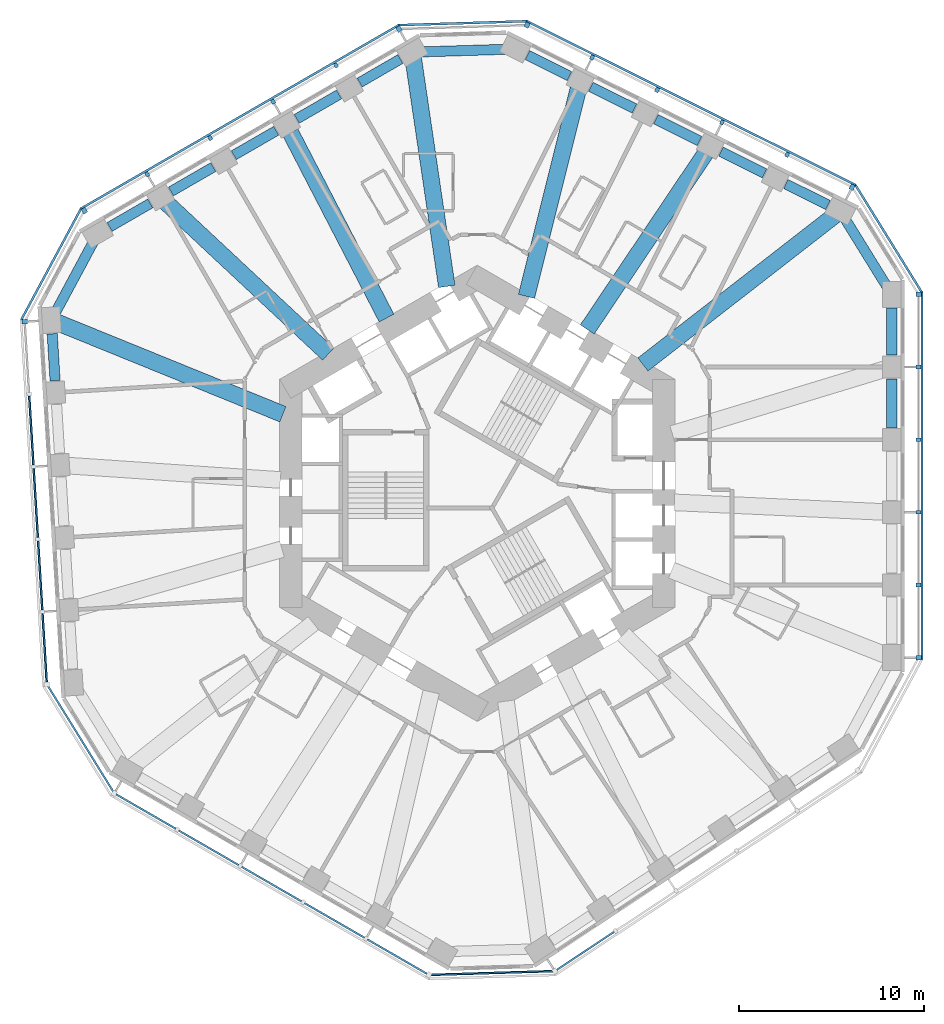
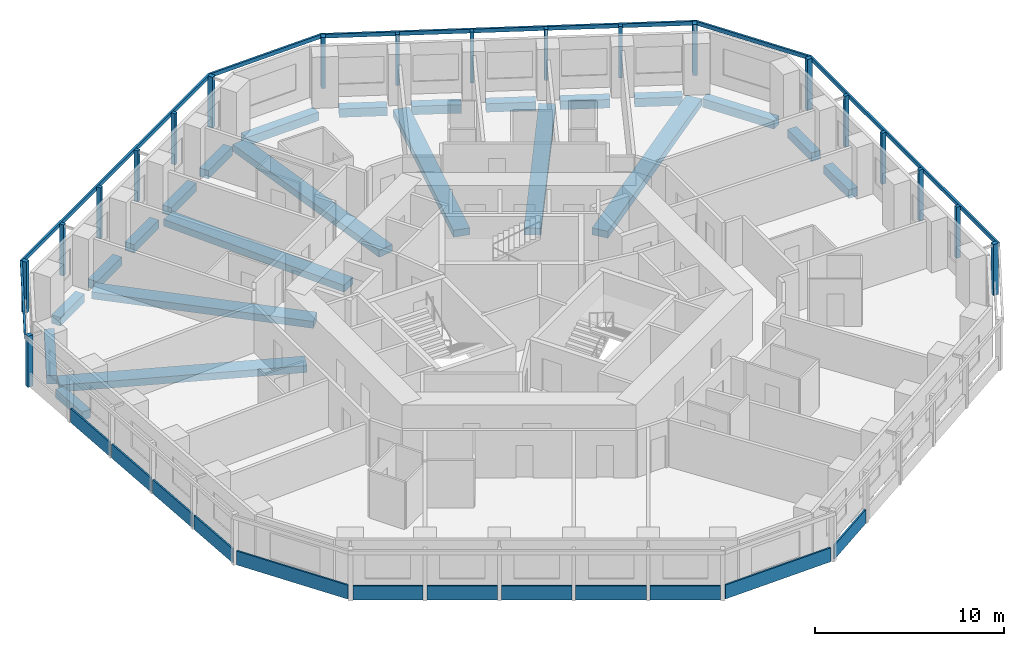
# One storey, part 2 of 12: 25 members, 23 beams, 12 plates, 11 elements without a shape of their own.
"""IFC4 building model written with IfcOpenShell, lengths in metres."""

from ifc_helpers import new_model, si_unit, direction, frame, origin, origin_2d, place, context, subcontext, project, spatial, rectangle, extrude, material, layer, layer_set, material_profile, profile_set, type_object, element, aggregate, save


model = new_model("IFC4")

# Units and contexts
model_context = context("Model", 3, precision=1e-05, world=origin(), true_north=direction((0.0, 1.0)))
body_context = subcontext(model_context, "Body", "Model", "MODEL_VIEW")
ifc_project = project(units=[si_unit("LENGTHUNIT", "METRE"), si_unit("AREAUNIT", "SQUARE_METRE"), si_unit("VOLUMEUNIT", "CUBIC_METRE"), si_unit("PLANEANGLEUNIT", "RADIAN"), si_unit("MASSUNIT", "GRAM", prefix="KILO")], contexts=[model_context])

# Site, building, storey
site_placement = place(None, origin())
site = spatial("IfcSite", under=ifc_project, at=site_placement, CompositionType="ELEMENT")
building_placement = place(site_placement, origin())
building = spatial("IfcBuilding", under=site, at=building_placement, Name="Vanh Sen Convention Tower", CompositionType="ELEMENT")
storey_placement = place(building_placement, frame((0.0, 0.0, 63.800048828125)))
storey = spatial("IfcBuildingStorey", under=building, at=storey_placement, Name="L13", CompositionType="ELEMENT", Elevation=63.800048828125)

# Curtain wall, members
ifc_material_1 = material(Name="Concrete C50/60", Category="concrete")
curtain_wall_type = type_object("IfcCurtainWallType", Name="Outer skin hotel zone", PredefinedType="NOTDEFINED", material=ifc_material_1)
curtain_wall_1_placement = place(storey_placement, origin())
curtain_wall_1 = element("IfcCurtainWall", 1, at=curtain_wall_1_placement, inside=storey, type_object=curtain_wall_type, Name="OUTER SKIN E L13", PredefinedType="NOTDEFINED")
ifc_material_profile_1 = material_profile(ifc_material_1, rectangle(XDim=0.25, YDim=0.300048828125, at=origin_2d()), Name="Outer skin precast corner fin 250 x 300")
ifc_profile_set_1 = profile_set([ifc_material_profile_1], Name="Concrete C50/60")
member_type_1 = type_object("IfcMemberType", Name="Outer skin precast corner fin 250 x 300", PredefinedType="MULLION", material=ifc_profile_set_1)
member_1_placement = place(storey_placement, frame((23.89990234375, -8.899169921875, 0.0), z_axis=(0.0, 0.0, 1.0), x_axis=(0.0, 1.0, 0.0)))
member_1 = element("IfcMember", 2, at=member_1_placement, type_object=member_type_1, Name="OUTER SKIN CORNER FIN 1 E L13", PredefinedType="MULLION", context=body_context, shape_type="SweptSolid", body=[
    extrude(rectangle(XDim=0.25, YDim=0.300048828125, at=origin_2d()), origin(), (0.0, 0.0, 1.0), 3.300048828125),
])
member_2_placement = place(storey_placement, frame((23.89990234375, 10.773681640625, 0.0), z_axis=(0.0, 0.0, 1.0), x_axis=(0.0, 1.0, 0.0)))
member_2 = element("IfcMember", 3, at=member_2_placement, type_object=member_type_1, Name="OUTER SKIN CORNER FIN 6 E L13", PredefinedType="MULLION", context=body_context, shape_type="SweptSolid", body=[
    extrude(rectangle(XDim=0.25, YDim=0.300048828125, at=origin_2d()), origin(), (0.0, 0.0, 1.0), 3.300048828125),
])

curtain_wall_2_placement = place(storey_placement, origin())
curtain_wall_2 = element("IfcCurtainWall", 4, at=curtain_wall_2_placement, inside=storey, type_object=curtain_wall_type, Name="OUTER SKIN NE L13", PredefinedType="NOTDEFINED")
member_3_placement = place(storey_placement, frame((20.305908203125, 16.581787109375, 0.0), z_axis=(0.0, 0.0, 1.0), x_axis=(-0.894934361602, 0.44619781311, 0.0)))
member_3 = element("IfcMember", 5, at=member_3_placement, type_object=member_type_1, Name="OUTER SKIN CORNER FIN 1 NE L13", PredefinedType="MULLION", context=body_context, shape_type="SweptSolid", body=[
    extrude(rectangle(XDim=0.25, YDim=0.300048828125, at=origin_2d()), origin(), (0.0, 0.0, 1.0), 3.300048828125),
])
member_4_placement = place(storey_placement, frame((2.699951171875, 25.35986328125, 0.0), z_axis=(0.0, 0.0, 1.0), x_axis=(-0.894934361602, 0.44619781311, 0.0)))
member_4 = element("IfcMember", 6, at=member_4_placement, type_object=member_type_1, Name="OUTER SKIN CORNER FIN 6 NE L13", PredefinedType="MULLION", context=body_context, shape_type="SweptSolid", body=[
    extrude(rectangle(XDim=0.25, YDim=0.300048828125, at=origin_2d()), origin(), (0.0, 0.0, 1.0), 3.300048828125),
])

curtain_wall_3_placement = place(storey_placement, origin())
curtain_wall_3 = element("IfcCurtainWall", 7, at=curtain_wall_3_placement, inside=storey, type_object=curtain_wall_type, Name="OUTER SKIN NW L13", PredefinedType="NOTDEFINED")
member_5_placement = place(storey_placement, frame((-4.242919921875, 25.147705078125, 0.0), z_axis=(0.0, 0.0, 1.0), x_axis=(-0.866025403784, -0.5, 0.0)))
member_5 = element("IfcMember", 8, at=member_5_placement, type_object=member_type_1, Name="OUTER SKIN CORNER FIN 1 NW L13", PredefinedType="MULLION", context=body_context, shape_type="SweptSolid", body=[
    extrude(rectangle(XDim=0.25, YDim=0.300048828125, at=origin_2d()), origin(), (0.0, 0.0, 1.0), 3.300048828125),
])
member_6_placement = place(storey_placement, frame((-21.2802734375, 15.31103515625, 0.0), z_axis=(0.0, 0.0, 1.0), x_axis=(-0.866025403784, -0.5, 0.0)))
member_6 = element("IfcMember", 9, at=member_6_placement, type_object=member_type_1, Name="OUTER SKIN CORNER FIN 6 NW L13", PredefinedType="MULLION", context=body_context, shape_type="SweptSolid", body=[
    extrude(rectangle(XDim=0.25, YDim=0.300048828125, at=origin_2d()), origin(), (0.0, 0.0, 1.0), 3.300048828125),
])

# Curtain wall, member
curtain_wall_4_placement = place(storey_placement, origin())
curtain_wall_4 = element("IfcCurtainWall", 10, at=curtain_wall_4_placement, inside=storey, type_object=curtain_wall_type, Name="OUTER SKIN W L13", PredefinedType="NOTDEFINED")
member_7_placement = place(storey_placement, frame((-24.51318359375, 9.294677734375, 0.0), z_axis=(0.0, 0.0, 1.0), x_axis=(0.061048539535, -0.998134798422, 0.0)))
member_7 = element("IfcMember", 11, at=member_7_placement, type_object=member_type_1, Name="OUTER SKIN CORNER FIN 1 W L13", PredefinedType="MULLION", context=body_context, shape_type="SweptSolid", body=[
    extrude(rectangle(XDim=0.25, YDim=0.300048828125, at=origin_2d()), origin(), (0.0, 0.0, 1.0), 3.300048828125),
])

# Member
ifc_material_profile_2 = material_profile(ifc_material_1, rectangle(XDim=0.199951171875, YDim=0.25, at=origin_2d()), Name="Outer skin precast fin 200 x 250")
ifc_profile_set_2 = profile_set([ifc_material_profile_2], Name="Concrete C50/60")
member_type_2 = type_object("IfcMemberType", Name="Outer skin precast fin 200 x 250", PredefinedType="MULLION", material=ifc_profile_set_2)
member_8_placement = place(storey_placement, frame((23.89990234375, -4.964599609375, 0.0), z_axis=(0.0, 0.0, 1.0), x_axis=(0.0, 1.0, 0.0)))
member_8 = element("IfcMember", 12, at=member_8_placement, type_object=member_type_2, Name="OUTER SKIN fin 2 E L13", PredefinedType="MULLION", context=body_context, shape_type="SweptSolid", body=[
    extrude(rectangle(XDim=0.199951171875, YDim=0.25, at=origin_2d()), origin(), (0.0, 0.0, 1.0), 3.300048828125),
])

member_9_placement = place(storey_placement, frame((23.89990234375, -1.030029296875, 0.0), z_axis=(0.0, 0.0, 1.0), x_axis=(0.0, 1.0, 0.0)))
member_9 = element("IfcMember", 13, at=member_9_placement, type_object=member_type_2, Name="OUTER SKIN fin 3 E L13", PredefinedType="MULLION", context=body_context, shape_type="SweptSolid", body=[
    extrude(rectangle(XDim=0.199951171875, YDim=0.25, at=origin_2d()), origin(), (0.0, 0.0, 1.0), 3.300048828125),
])

member_10_placement = place(storey_placement, frame((23.89990234375, 2.904541015625, 0.0), z_axis=(0.0, 0.0, 1.0), x_axis=(0.0, 1.0, 0.0)))
member_10 = element("IfcMember", 14, at=member_10_placement, type_object=member_type_2, Name="OUTER SKIN fin 4 E L13", PredefinedType="MULLION", context=body_context, shape_type="SweptSolid", body=[
    extrude(rectangle(XDim=0.199951171875, YDim=0.25, at=origin_2d()), origin(), (0.0, 0.0, 1.0), 3.300048828125),
])

member_11_placement = place(storey_placement, frame((23.89990234375, 6.839111328125, 0.0), z_axis=(0.0, 0.0, 1.0), x_axis=(0.0, 1.0, 0.0)))
member_11 = element("IfcMember", 15, at=member_11_placement, type_object=member_type_2, Name="OUTER SKIN fin 5 E L13", PredefinedType="MULLION", context=body_context, shape_type="SweptSolid", body=[
    extrude(rectangle(XDim=0.199951171875, YDim=0.25, at=origin_2d()), origin(), (0.0, 0.0, 1.0), 3.300048828125),
])

member_12_placement = place(storey_placement, frame((16.78466796875, 18.33740234375, 0.0), z_axis=(0.0, 0.0, 1.0), x_axis=(-0.894934361602, 0.44619781311, 0.0)))
member_12 = element("IfcMember", 16, at=member_12_placement, type_object=member_type_2, Name="OUTER SKIN fin 2 NE L13", PredefinedType="MULLION", context=body_context, shape_type="SweptSolid", body=[
    extrude(rectangle(XDim=0.199951171875, YDim=0.25, at=origin_2d()), origin(), (0.0, 0.0, 1.0), 3.300048828125),
])

member_13_placement = place(storey_placement, frame((13.263427734375, 20.093017578125, 0.0), z_axis=(0.0, 0.0, 1.0), x_axis=(-0.894934361602, 0.44619781311, 0.0)))
member_13 = element("IfcMember", 17, at=member_13_placement, type_object=member_type_2, Name="OUTER SKIN fin 3 NE L13", PredefinedType="MULLION", context=body_context, shape_type="SweptSolid", body=[
    extrude(rectangle(XDim=0.199951171875, YDim=0.25, at=origin_2d()), origin(), (0.0, 0.0, 1.0), 3.300048828125),
])

member_14_placement = place(storey_placement, frame((9.7421875, 21.8486328125, 0.0), z_axis=(0.0, 0.0, 1.0), x_axis=(-0.894934361602, 0.44619781311, 0.0)))
member_14 = element("IfcMember", 18, at=member_14_placement, type_object=member_type_2, Name="OUTER SKIN fin 4 NE L13", PredefinedType="MULLION", context=body_context, shape_type="SweptSolid", body=[
    extrude(rectangle(XDim=0.199951171875, YDim=0.25, at=origin_2d()), origin(), (0.0, 0.0, 1.0), 3.300048828125),
])

member_15_placement = place(storey_placement, frame((6.22119140625, 23.604248046875, 0.0), z_axis=(0.0, 0.0, 1.0), x_axis=(-0.894934361602, 0.44619781311, 0.0)))
member_15 = element("IfcMember", 19, at=member_15_placement, type_object=member_type_2, Name="OUTER SKIN fin 5 NE L13", PredefinedType="MULLION", context=body_context, shape_type="SweptSolid", body=[
    extrude(rectangle(XDim=0.199951171875, YDim=0.25, at=origin_2d()), origin(), (0.0, 0.0, 1.0), 3.300048828125),
])

member_16_placement = place(storey_placement, frame((-7.650390625, 23.180419921875, 0.0), z_axis=(0.0, 0.0, 1.0), x_axis=(-0.866025403784, -0.5, 0.0)))
member_16 = element("IfcMember", 20, at=member_16_placement, type_object=member_type_2, Name="OUTER SKIN fin 2 NW L13", PredefinedType="MULLION", context=body_context, shape_type="SweptSolid", body=[
    extrude(rectangle(XDim=0.199951171875, YDim=0.25, at=origin_2d()), origin(), (0.0, 0.0, 1.0), 3.300048828125),
])

member_17_placement = place(storey_placement, frame((-11.057861328125, 21.212890625, 0.0), z_axis=(0.0, 0.0, 1.0), x_axis=(-0.866025403784, -0.5, 0.0)))
member_17 = element("IfcMember", 21, at=member_17_placement, type_object=member_type_2, Name="OUTER SKIN fin 3 NW L13", PredefinedType="MULLION", context=body_context, shape_type="SweptSolid", body=[
    extrude(rectangle(XDim=0.199951171875, YDim=0.25, at=origin_2d()), origin(), (0.0, 0.0, 1.0), 3.300048828125),
])

member_18_placement = place(storey_placement, frame((-14.46533203125, 19.24560546875, 0.0), z_axis=(0.0, 0.0, 1.0), x_axis=(-0.866025403784, -0.5, 0.0)))
member_18 = element("IfcMember", 22, at=member_18_placement, type_object=member_type_2, Name="OUTER SKIN fin 4 NW L13", PredefinedType="MULLION", context=body_context, shape_type="SweptSolid", body=[
    extrude(rectangle(XDim=0.199951171875, YDim=0.25, at=origin_2d()), origin(), (0.0, 0.0, 1.0), 3.300048828125),
])

member_19_placement = place(storey_placement, frame((-17.872802734375, 17.2783203125, 0.0), z_axis=(0.0, 0.0, 1.0), x_axis=(-0.866025403784, -0.5, 0.0)))
member_19 = element("IfcMember", 23, at=member_19_placement, type_object=member_type_2, Name="OUTER SKIN fin 5 NW L13", PredefinedType="MULLION", context=body_context, shape_type="SweptSolid", body=[
    extrude(rectangle(XDim=0.199951171875, YDim=0.25, at=origin_2d()), origin(), (0.0, 0.0, 1.0), 3.300048828125),
])

ifc_material_profile_3 = material_profile(ifc_material_1, rectangle(XDim=0.1201171875, YDim=0.25, at=origin_2d()), Name="Outer skin precast spandrel band 250 x 120")
ifc_profile_set_3 = profile_set([ifc_material_profile_3], Name="Concrete C50/60")
member_type_3 = type_object("IfcMemberType", Name="Outer skin precast spandrel band 250 x 120", PredefinedType="USERDEFINED", material=ifc_profile_set_3)
member_20_placement = place(storey_placement, frame((24.0849609375, -9.024169921875, 3.175048828125), z_axis=(0.0, 1.0, 0.0), x_axis=(-1.0, 0.0, 0.0)))
member_20 = element("IfcMember", 24, at=member_20_placement, type_object=member_type_3, Name="OUTER SKIN spandrel band E L13", ObjectType="TRANSOM", PredefinedType="USERDEFINED", context=body_context, shape_type="SweptSolid", body=[
    extrude(rectangle(XDim=0.1201171875, YDim=0.25, at=origin_2d()), origin(), (0.0, 0.0, 1.0), 19.9228515625),
])

aggregate(curtain_wall_1, [member_1, member_8, member_9, member_10, member_11, member_2, member_20])

# Curtain wall, member
curtain_wall_5_placement = place(storey_placement, origin())
curtain_wall_5 = element("IfcCurtainWall", 25, at=curtain_wall_5_placement, inside=storey, type_object=curtain_wall_type, Name="OUTER SKIN CH1 L13", PredefinedType="NOTDEFINED")
member_21_placement = place(storey_placement, frame((24.07861328125, 10.88427734375, 3.175048828125), z_axis=(-0.526195864379, 0.850363400148, 0.0), x_axis=(-0.850363400148, -0.526195864379, 0.0)))
member_21 = element("IfcMember", 26, at=member_21_placement, type_object=member_type_3, Name="OUTER SKIN spandrel band CH1 L13", ObjectType="TRANSOM", PredefinedType="USERDEFINED", context=body_context, shape_type="SweptSolid", body=[
    extrude(rectangle(XDim=0.1201171875, YDim=0.25, at=origin_2d()), origin(), (0.0, 0.0, 1.0), 6.830078125),
])
aggregate(curtain_wall_5, [member_21])

# Member
member_22_placement = place(storey_placement, frame((20.500244140625, 16.69140625, 3.175048828125), z_axis=(-0.894931498167, 0.446203556227, 0.0), x_axis=(-0.446203556227, -0.894931498167, 0.0)))
member_22 = element("IfcMember", 27, at=member_22_placement, type_object=member_type_3, Name="OUTER SKIN spandrel band NE L13", ObjectType="TRANSOM", PredefinedType="USERDEFINED", context=body_context, shape_type="SweptSolid", body=[
    extrude(rectangle(XDim=0.1201171875, YDim=0.25, at=origin_2d()), origin(), (0.0, 0.0, 1.0), 19.9228515625),
])

aggregate(curtain_wall_2, [member_3, member_12, member_13, member_14, member_15, member_4, member_22])

# Curtain wall, member
curtain_wall_6_placement = place(storey_placement, origin())
curtain_wall_6 = element("IfcCurtainWall", 28, at=curtain_wall_6_placement, inside=storey, type_object=curtain_wall_type, Name="OUTER SKIN CH2 L13", PredefinedType="NOTDEFINED")
member_23_placement = place(storey_placement, frame((2.693603515625, 25.569580078125, 3.175048828125), z_axis=(-0.999533472857, -0.030542374483, 0.0), x_axis=(0.030542374483, -0.999533472857, 0.0)))
member_23 = element("IfcMember", 29, at=member_23_placement, type_object=member_type_3, Name="OUTER SKIN spandrel band CH2 L13", ObjectType="TRANSOM", PredefinedType="USERDEFINED", context=body_context, shape_type="SweptSolid", body=[
    extrude(rectangle(XDim=0.1201171875, YDim=0.25, at=origin_2d()), origin(), (0.0, 0.0, 1.0), 6.9462890625),
])
aggregate(curtain_wall_6, [member_23])

# Member
member_24_placement = place(storey_placement, frame((-4.227294921875, 25.370361328125, 3.175048828125), z_axis=(-0.866028047459, -0.499995420993, 0.0), x_axis=(0.499995420993, -0.866028047459, 0.0)))
member_24 = element("IfcMember", 30, at=member_24_placement, type_object=member_type_3, Name="OUTER SKIN spandrel band NW L13", ObjectType="TRANSOM", PredefinedType="USERDEFINED", context=body_context, shape_type="SweptSolid", body=[
    extrude(rectangle(XDim=0.1201171875, YDim=0.25, at=origin_2d()), origin(), (0.0, 0.0, 1.0), 19.923095703125),
])

aggregate(curtain_wall_3, [member_5, member_16, member_17, member_18, member_19, member_6, member_24])

# Curtain wall, member
curtain_wall_7_placement = place(storey_placement, origin())
curtain_wall_7 = element("IfcCurtainWall", 31, at=curtain_wall_7_placement, inside=storey, type_object=curtain_wall_type, Name="OUTER SKIN CH3 L13", PredefinedType="NOTDEFINED")
member_25_placement = place(storey_placement, frame((-21.46533203125, 15.410400390625, 3.175048828125), z_axis=(-0.473315186561, -0.880893145717, 0.0), x_axis=(0.880893145717, -0.473315186561, 0.0)))
member_25 = element("IfcMember", 32, at=member_25_placement, type_object=member_type_3, Name="OUTER SKIN spandrel band CH3 L13", ObjectType="TRANSOM", PredefinedType="USERDEFINED", context=body_context, shape_type="SweptSolid", body=[
    extrude(rectangle(XDim=0.1201171875, YDim=0.25, at=origin_2d()), origin(), (0.0, 0.0, 1.0), 6.829833984375),
])
aggregate(curtain_wall_7, [member_25])

# Beams
ifc_material_2 = material(Name="Concrete C50/60", Category="concrete")
ifc_material_profile_4 = material_profile(ifc_material_2, rectangle(XDim=0.89990234375, YDim=0.449951171875, at=origin_2d()), Name="RC 900X450")
ifc_profile_set_4 = profile_set([ifc_material_profile_4], Name="Concrete C50/60")
beam_type_1 = type_object("IfcBeamType", Name="Radial floor beam 900 x 450", PredefinedType="BEAM", material=ifc_profile_set_4)
beam_1_placement = place(storey_placement, frame((19.3955078125, 15.079345703125, -0.47509765625), z_axis=(-0.789464705625, -0.61379595842, 0.0), x_axis=(0.61379595842, -0.789464705625, 0.0)))
element("IfcBeam", 33, at=beam_1_placement, inside=storey, type_object=beam_type_1, Name="Radial beam 04 L13", PredefinedType="BEAM", context=body_context, shape_type="SweptSolid", body=[
    extrude(rectangle(XDim=0.89990234375, YDim=0.449951171875, at=origin_2d()), origin(), (0.0, 0.0, 1.0), 13.204345703125),
])
beam_2_placement = place(storey_placement, frame((12.37060546875, 18.42919921875, -0.47509765625), z_axis=(-0.557321786786, -0.830296589162, 0.0), x_axis=(0.830296589162, -0.557321786786, 0.0)))
element("IfcBeam", 34, at=beam_2_placement, inside=storey, type_object=beam_type_1, Name="Radial beam 05 L13", PredefinedType="BEAM", context=body_context, shape_type="SweptSolid", body=[
    extrude(rectangle(XDim=0.89990234375, YDim=0.449951171875, at=origin_2d()), origin(), (0.0, 0.0, 1.0), 11.507080078125),
])
beam_3_placement = place(storey_placement, frame((5.475341796875, 21.9111328125, -0.47509765625), z_axis=(-0.242431531098, -0.970168517697, 0.0), x_axis=(0.970168517697, -0.242431531098, 0.0)))
element("IfcBeam", 35, at=beam_3_placement, inside=storey, type_object=beam_type_1, Name="Radial beam 06 L13", PredefinedType="BEAM", context=body_context, shape_type="SweptSolid", body=[
    extrude(rectangle(XDim=0.89990234375, YDim=0.449951171875, at=origin_2d()), origin(), (0.0, 0.0, 1.0), 11.589111328125),
])
beam_4_placement = place(storey_placement, frame((-3.46630859375, 23.541259765625, -0.47509765625), z_axis=(0.145680012358, -0.989331761342, 0.0), x_axis=(0.989331761342, 0.145680012358, 0.0)))
element("IfcBeam", 36, at=beam_4_placement, inside=storey, type_object=beam_type_1, Name="Radial beam 07 L13", PredefinedType="BEAM", context=body_context, shape_type="SweptSolid", body=[
    extrude(rectangle(XDim=0.89990234375, YDim=0.449951171875, at=origin_2d()), origin(), (0.0, 0.0, 1.0), 12.468505859375),
])
beam_5_placement = place(storey_placement, frame((-10.114501953125, 19.53564453125, -0.47509765625), z_axis=(0.459772199707, -0.88803689359, 0.0), x_axis=(0.88803689359, 0.459772199707, 0.0)))
element("IfcBeam", 37, at=beam_5_placement, inside=storey, type_object=beam_type_1, Name="Radial beam 08 L13", PredefinedType="BEAM", context=body_context, shape_type="SweptSolid", body=[
    extrude(rectangle(XDim=0.89990234375, YDim=0.449951171875, at=origin_2d()), origin(), (0.0, 0.0, 1.0), 11.31298828125),
])
beam_6_placement = place(storey_placement, frame((-16.869873046875, 15.762939453125, -0.47509765625), z_axis=(0.730668926441, -0.68273195321, 0.0), x_axis=(0.68273195321, 0.730668926441, 0.0)))
element("IfcBeam", 38, at=beam_6_placement, inside=storey, type_object=beam_type_1, Name="Radial beam 09 L13", PredefinedType="BEAM", context=body_context, shape_type="SweptSolid", body=[
    extrude(rectangle(XDim=0.89990234375, YDim=0.449951171875, at=origin_2d()), origin(), (0.0, 0.0, 1.0), 12.044921875),
])
beam_7_placement = place(storey_placement, frame((-22.756591796875, 9.25732421875, -0.47509765625), z_axis=(0.926291791336, -0.376807002727, 0.0), x_axis=(0.376807002727, 0.926291791336, 0.0)))
element("IfcBeam", 39, at=beam_7_placement, inside=storey, type_object=beam_type_1, Name="Radial beam 10 L13", PredefinedType="BEAM", context=body_context, shape_type="SweptSolid", body=[
    extrude(rectangle(XDim=0.89990234375, YDim=0.449951171875, at=origin_2d()), origin(), (0.0, 0.0, 1.0), 13.203857421875),
])
ifc_material_profile_5 = material_profile(ifc_material_2, rectangle(XDim=0.550048828125, YDim=0.550048828125, at=origin_2d()), Name="RC 550X550")
ifc_profile_set_5 = profile_set([ifc_material_profile_5], Name="Concrete C50/60")
beam_type_2 = type_object("IfcBeamType", Name="Spandrel beam 550 x 550", PredefinedType="SPANDREL", material=ifc_profile_set_5)
beam_8_placement = place(storey_placement, frame((22.449951171875, 3.549560546875, -0.525146484375), z_axis=(0.0, 1.0, 0.0), x_axis=(-1.0, 0.0, 0.0)))
element("IfcBeam", 40, at=beam_8_placement, inside=storey, type_object=beam_type_2, Name="Spandrel beam 04 L13", PredefinedType="SPANDREL", context=body_context, shape_type="SweptSolid", body=[
    extrude(rectangle(XDim=0.550048828125, YDim=0.550048828125, at=origin_2d()), origin(), (0.0, 0.0, 1.0), 2.64453125),
])
beam_9_placement = place(storey_placement, frame((22.449951171875, 7.484130859375, -0.525146484375), z_axis=(0.0, 1.0, 0.0), x_axis=(-1.0, 0.0, 0.0)))
element("IfcBeam", 41, at=beam_9_placement, inside=storey, type_object=beam_type_2, Name="Spandrel beam 05 L13", PredefinedType="SPANDREL", context=body_context, shape_type="SweptSolid", body=[
    extrude(rectangle(XDim=0.550048828125, YDim=0.550048828125, at=origin_2d()), origin(), (0.0, 0.0, 1.0), 2.544677734375),
])
beam_10_placement = place(storey_placement, frame((22.1865234375, 11.199462890625, -0.525146484375), z_axis=(-0.526204199605, 0.850358242342, 0.0), x_axis=(-0.850358242342, -0.526204199605, 0.0)))
element("IfcBeam", 42, at=beam_10_placement, inside=storey, type_object=beam_type_2, Name="Spandrel beam 06 L13", PredefinedType="SPANDREL", context=body_context, shape_type="SweptSolid", body=[
    extrude(rectangle(XDim=0.550048828125, YDim=0.550048828125, at=origin_2d()), origin(), (0.0, 0.0, 1.0), 4.302734375),
])
beam_11_placement = place(storey_placement, frame((18.9921875, 15.616455078125, -0.525146484375), z_axis=(-0.89492552091, 0.446215544356, 0.0), x_axis=(-0.446215544356, -0.89492552091, 0.0)))
element("IfcBeam", 43, at=beam_11_placement, inside=storey, type_object=beam_type_2, Name="Spandrel beam 07 L13", PredefinedType="SPANDREL", context=body_context, shape_type="SweptSolid", body=[
    extrude(rectangle(XDim=0.550048828125, YDim=0.550048828125, at=origin_2d()), origin(), (0.0, 0.0, 1.0), 2.544677734375),
])
beam_12_placement = place(storey_placement, frame((15.560546875, 17.327392578125, -0.525146484375), z_axis=(-0.894925098079, 0.446216392379, 0.0), x_axis=(-0.446216392379, -0.894925098079, 0.0)))
element("IfcBeam", 44, at=beam_12_placement, inside=storey, type_object=beam_type_2, Name="Spandrel beam 08 L13", PredefinedType="SPANDREL", context=body_context, shape_type="SweptSolid", body=[
    extrude(rectangle(XDim=0.550048828125, YDim=0.550048828125, at=origin_2d()), origin(), (0.0, 0.0, 1.0), 2.644775390625),
])
for number, where, z_axis, x_axis, name in (
    (45, (12.039306640625, 19.0830078125, -0.525146484375), (-0.894906716461, 0.446253256383, 0.0), (-0.446253256383, -0.894906716461, 0.0), "Spandrel beam 09 L13"),
    (46, (8.51806640625, 20.838623046875, -0.525146484375), (-0.894906716461, 0.446253256383, 0.0), (-0.446253256383, -0.894906716461, 0.0), "Spandrel beam 10 L13"),
):
    element("IfcBeam", number, at=place(storey_placement, frame(where, z_axis=z_axis, x_axis=x_axis)), inside=storey, type_object=beam_type_2, Name=name, PredefinedType="SPANDREL", context=body_context, shape_type="SweptSolid", body=[
        extrude(rectangle(XDim=0.550048828125, YDim=0.550048828125, at=origin_2d()), origin(), (0.0, 0.0, 1.0), 2.64453125),
    ])
beam_13_placement = place(storey_placement, frame((4.996826171875, 22.59423828125, -0.525146484375), z_axis=(-0.89492552091, 0.446215544356, 0.0), x_axis=(-0.446215544356, -0.89492552091, 0.0)))
element("IfcBeam", 47, at=beam_13_placement, inside=storey, type_object=beam_type_2, Name="Spandrel beam 11 L13", PredefinedType="SPANDREL", context=body_context, shape_type="SweptSolid", body=[
    extrude(rectangle(XDim=0.550048828125, YDim=0.550048828125, at=origin_2d()), origin(), (0.0, 0.0, 1.0), 2.544677734375),
])
beam_14_placement = place(storey_placement, frame((1.513671875, 24.045654296875, -0.525146484375), z_axis=(-0.999533924707, -0.030527583592, 0.0), x_axis=(0.030527583592, -0.999533924707, 0.0)))
element("IfcBeam", 48, at=beam_14_placement, inside=storey, type_object=beam_type_2, Name="Spandrel beam 12 L13", PredefinedType="SPANDREL", context=body_context, shape_type="SweptSolid", body=[
    extrude(rectangle(XDim=0.550048828125, YDim=0.550048828125, at=origin_2d()), origin(), (0.0, 0.0, 1.0), 4.49462890625),
])
beam_15_placement = place(storey_placement, frame((-4.1630859375, 23.519287109375, -0.525146484375), z_axis=(-0.866056180903, -0.499946688677, 0.0), x_axis=(0.499946688677, -0.866056180903, 0.0)))
element("IfcBeam", 49, at=beam_15_placement, inside=storey, type_object=beam_type_2, Name="Spandrel beam 13 L13", PredefinedType="SPANDREL", context=body_context, shape_type="SweptSolid", body=[
    extrude(rectangle(XDim=0.550048828125, YDim=0.550048828125, at=origin_2d()), origin(), (0.0, 0.0, 1.0), 2.544677734375),
])
for number, where, z_axis, x_axis, name in (
    (50, (-7.484130859375, 21.60205078125, -0.525146484375), (-0.866030315638, -0.499991492324, 0.0), (0.499991492324, -0.866030315638, 0.0), "Spandrel beam 14 L13"),
    (51, (-10.8916015625, 19.634765625, -0.525146484375), (-0.866030315638, -0.499991492324, 0.0), (0.499991492324, -0.866030315638, 0.0), "Spandrel beam 15 L13"),
    (52, (-14.299072265625, 17.66748046875, -0.525146484375), (-0.866030315638, -0.499991492324, 0.0), (0.499991492324, -0.866030315638, 0.0), "Spandrel beam 16 L13"),
):
    element("IfcBeam", number, at=place(storey_placement, frame(where, z_axis=z_axis, x_axis=x_axis)), inside=storey, type_object=beam_type_2, Name=name, PredefinedType="SPANDREL", context=body_context, shape_type="SweptSolid", body=[
        extrude(rectangle(XDim=0.550048828125, YDim=0.550048828125, at=origin_2d()), origin(), (0.0, 0.0, 1.0), 2.64453125),
    ])
beam_16_placement = place(storey_placement, frame((-17.70654296875, 15.7001953125, -0.525146484375), z_axis=(-0.866032197868, -0.499988232117, 0.0), x_axis=(0.499988232117, -0.866032197868, 0.0)))
element("IfcBeam", 53, at=beam_16_placement, inside=storey, type_object=beam_type_2, Name="Spandrel beam 17 L13", PredefinedType="SPANDREL", context=body_context, shape_type="SweptSolid", body=[
    extrude(rectangle(XDim=0.550048828125, YDim=0.550048828125, at=origin_2d()), origin(), (0.0, 0.0, 1.0), 2.54443359375),
])
beam_17_placement = place(storey_placement, frame((-20.792236328125, 13.6142578125, -0.525146484375), z_axis=(-0.473304428218, -0.880898926228, 0.0), x_axis=(0.880898926228, -0.473304428218, 0.0)))
element("IfcBeam", 54, at=beam_17_placement, inside=storey, type_object=beam_type_2, Name="Spandrel beam 18 L13", PredefinedType="SPANDREL", context=body_context, shape_type="SweptSolid", body=[
    extrude(rectangle(XDim=0.550048828125, YDim=0.550048828125, at=origin_2d()), origin(), (0.0, 0.0, 1.0), 4.302490234375),
])
beam_18_placement = place(storey_placement, frame((-23.020263671875, 8.639404296875, -0.525146484375), z_axis=(0.061022277531, -0.998136404328, 0.0), x_axis=(0.998136404328, 0.061022277531, 0.0)))
element("IfcBeam", 55, at=beam_18_placement, inside=storey, type_object=beam_type_2, Name="Spandrel beam 19 L13", PredefinedType="SPANDREL", context=body_context, shape_type="SweptSolid", body=[
    extrude(rectangle(XDim=0.550048828125, YDim=0.550048828125, at=origin_2d()), origin(), (0.0, 0.0, 1.0), 2.54443359375),
])

# Plate
ifc_layer = layer(ifc_material_1, 0.10009765625)
ifc_layer_set = layer_set([ifc_layer], Name="Concrete C50/60")
plate_type = type_object("IfcPlateType", Name="Outer skin precast screen panel 100", PredefinedType="CURTAIN_PANEL", material=ifc_layer_set)
plate_1_placement = place(storey_placement, frame((-24.15283203125, 3.40380859375, 0.0), z_axis=(0.0, 0.0, 1.0), x_axis=(0.061048539535, -0.998134798422, 0.0)))
plate_1 = element("IfcPlate", 56, at=plate_1_placement, type_object=plate_type, Name="OUTER SKIN screen panel W-2", PredefinedType="CURTAIN_PANEL", context=body_context, shape_type="SweptSolid", body=[
    extrude(rectangle(XDim=3.734619140625, YDim=0.10009765625, at=origin_2d()), origin(), (0.0, 0.0, 1.0), 0.89990234375),
])

plate_2_placement = place(storey_placement, frame((-23.91259765625, -0.523681640625, 0.0), z_axis=(0.0, 0.0, 1.0), x_axis=(0.061046797461, -0.99813490497, 0.0)))
plate_2 = element("IfcPlate", 57, at=plate_2_placement, type_object=plate_type, Name="OUTER SKIN screen panel W-3", PredefinedType="CURTAIN_PANEL", context=body_context, shape_type="SweptSolid", body=[
    extrude(rectangle(XDim=3.734619140625, YDim=0.10009765625, at=origin_2d()), origin(), (0.0, 0.0, 1.0), 0.89990234375),
])

plate_3_placement = place(storey_placement, frame((-23.67236328125, -4.45068359375, 0.0), z_axis=(0.0, 0.0, 1.0), x_axis=(0.061048539535, -0.998134798422, 0.0)))
plate_3 = element("IfcPlate", 58, at=plate_3_placement, type_object=plate_type, Name="OUTER SKIN screen panel W-4", PredefinedType="CURTAIN_PANEL", context=body_context, shape_type="SweptSolid", body=[
    extrude(rectangle(XDim=3.734619140625, YDim=0.10009765625, at=origin_2d()), origin(), (0.0, 0.0, 1.0), 0.89990234375),
])

plate_4_placement = place(storey_placement, frame((-23.43310546875, -8.365478515625, 0.0), z_axis=(0.0, 0.0, 1.0), x_axis=(0.061046797461, -0.99813490497, 0.0)))
plate_4 = element("IfcPlate", 59, at=plate_4_placement, type_object=plate_type, Name="OUTER SKIN screen panel W-5", PredefinedType="CURTAIN_PANEL", context=body_context, shape_type="SweptSolid", body=[
    extrude(rectangle(XDim=3.709716796875, YDim=0.10009765625, at=origin_2d()), origin(), (0.0, 0.0, 1.0), 0.89990234375),
])

aggregate(curtain_wall_4, [member_7, plate_1, plate_2, plate_3, plate_4])

# Curtain wall, plate
curtain_wall_8_placement = place(storey_placement, origin())
curtain_wall_8 = element("IfcCurtainWall", 60, at=curtain_wall_8_placement, inside=storey, type_object=curtain_wall_type, Name="OUTER SKIN CH4 L13", PredefinedType="NOTDEFINED")
plate_5_placement = place(storey_placement, frame((-21.484619140625, -13.295166015625, 0.0), z_axis=(0.0, 0.0, 1.0), x_axis=(0.526205018755, -0.850357735448, 0.0)))
plate_5 = element("IfcPlate", 61, at=plate_5_placement, type_object=plate_type, Name="OUTER SKIN screen panel CH4-1", PredefinedType="CURTAIN_PANEL", context=body_context, shape_type="SweptSolid", body=[
    extrude(rectangle(XDim=6.6962890625, YDim=0.10009765625, at=origin_2d()), origin(), (0.0, 0.0, 1.0), 0.89990234375),
])
aggregate(curtain_wall_8, [plate_5])

# Curtain wall, plates
curtain_wall_9_placement = place(storey_placement, origin())
curtain_wall_9 = element("IfcCurtainWall", 62, at=curtain_wall_9_placement, inside=storey, type_object=curtain_wall_type, Name="OUTER SKIN SW L13", PredefinedType="NOTDEFINED")
plate_6_placement = place(storey_placement, frame((-17.9423828125, -17.23828125, 0.0), z_axis=(0.0, 0.0, 1.0), x_axis=(0.866028021766, -0.499995465495, 0.0)))
plate_6 = element("IfcPlate", 63, at=plate_6_placement, type_object=plate_type, Name="OUTER SKIN screen panel SW-1", PredefinedType="CURTAIN_PANEL", context=body_context, shape_type="SweptSolid", body=[
    extrude(rectangle(XDim=3.709716796875, YDim=0.10009765625, at=origin_2d()), origin(), (0.0, 0.0, 1.0), 0.89990234375),
])
plate_7_placement = place(storey_placement, frame((-14.5458984375, -19.19921875, 0.0), z_axis=(0.0, 0.0, 1.0), x_axis=(0.866032385017, -0.499987907955, 0.0)))
plate_7 = element("IfcPlate", 64, at=plate_7_placement, type_object=plate_type, Name="OUTER SKIN screen panel SW-2", PredefinedType="CURTAIN_PANEL", context=body_context, shape_type="SweptSolid", body=[
    extrude(rectangle(XDim=3.734619140625, YDim=0.10009765625, at=origin_2d()), origin(), (0.0, 0.0, 1.0), 0.89990234375),
])
plate_8_placement = place(storey_placement, frame((-11.138427734375, -21.16650390625, 0.0), z_axis=(0.0, 0.0, 1.0), x_axis=(0.866028021766, -0.499995465495, 0.0)))
plate_8 = element("IfcPlate", 65, at=plate_8_placement, type_object=plate_type, Name="OUTER SKIN screen panel SW-3", PredefinedType="CURTAIN_PANEL", context=body_context, shape_type="SweptSolid", body=[
    extrude(rectangle(XDim=3.734619140625, YDim=0.10009765625, at=origin_2d()), origin(), (0.0, 0.0, 1.0), 0.89990234375),
])
plate_9_placement = place(storey_placement, frame((-7.73095703125, -23.1337890625, 0.0), z_axis=(0.0, 0.0, 1.0), x_axis=(0.866028021766, -0.499995465495, 0.0)))
plate_9 = element("IfcPlate", 66, at=plate_9_placement, type_object=plate_type, Name="OUTER SKIN screen panel SW-4", PredefinedType="CURTAIN_PANEL", context=body_context, shape_type="SweptSolid", body=[
    extrude(rectangle(XDim=3.734619140625, YDim=0.10009765625, at=origin_2d()), origin(), (0.0, 0.0, 1.0), 0.89990234375),
])
plate_10_placement = place(storey_placement, frame((-4.334228515625, -25.094970703125, 0.0), z_axis=(0.0, 0.0, 1.0), x_axis=(0.866021040428, -0.500007557478, 0.0)))
plate_10 = element("IfcPlate", 67, at=plate_10_placement, type_object=plate_type, Name="OUTER SKIN screen panel SW-5", PredefinedType="CURTAIN_PANEL", context=body_context, shape_type="SweptSolid", body=[
    extrude(rectangle(XDim=3.70947265625, YDim=0.10009765625, at=origin_2d()), origin(), (0.0, 0.0, 1.0), 0.89990234375),
])
aggregate(curtain_wall_9, [plate_6, plate_7, plate_8, plate_9, plate_10])

# Curtain wall, plate
curtain_wall_10_placement = place(storey_placement, origin())
curtain_wall_10 = element("IfcCurtainWall", 68, at=curtain_wall_10_placement, inside=storey, type_object=curtain_wall_type, Name="OUTER SKIN CH5 L13", PredefinedType="NOTDEFINED")
plate_11_placement = place(storey_placement, frame((0.793701171875, -25.98046875, 0.0), z_axis=(0.0, 0.0, 1.0), x_axis=(0.999533484231, 0.03054200224, 0.0)))
plate_11 = element("IfcPlate", 69, at=plate_11_placement, type_object=plate_type, Name="OUTER SKIN screen panel CH5-1", PredefinedType="CURTAIN_PANEL", context=body_context, shape_type="SweptSolid", body=[
    extrude(rectangle(XDim=6.580078125, YDim=0.10009765625, at=origin_2d()), origin(), (0.0, 0.0, 1.0), 0.89990234375),
])
aggregate(curtain_wall_10, [plate_11])

curtain_wall_11_placement = place(storey_placement, origin())
curtain_wall_11 = element("IfcCurtainWall", 70, at=curtain_wall_11_placement, inside=storey, type_object=curtain_wall_type, Name="OUTER SKIN SE L13", PredefinedType="NOTDEFINED")
plate_12_placement = place(storey_placement, frame((5.858154296875, -24.783447265625, 0.0), z_axis=(0.0, 0.0, 1.0), x_axis=(0.833891601892, 0.55192825285, 0.0)))
plate_12 = element("IfcPlate", 71, at=plate_12_placement, type_object=plate_type, Name="OUTER SKIN screen panel SE-1", PredefinedType="CURTAIN_PANEL", context=body_context, shape_type="SweptSolid", body=[
    extrude(rectangle(XDim=3.709716796875, YDim=0.10009765625, at=origin_2d()), origin(), (0.0, 0.0, 1.0), 0.89990234375),
])
aggregate(curtain_wall_11, [plate_12])

save(model, "model.ifc")
